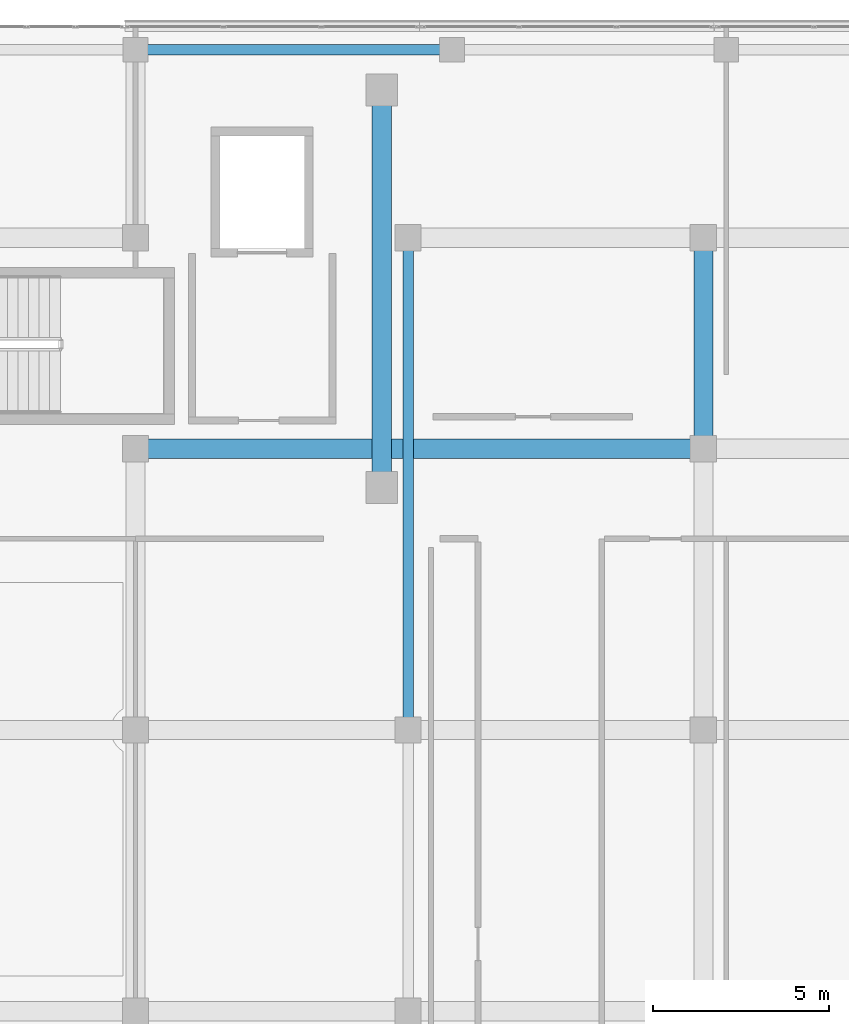
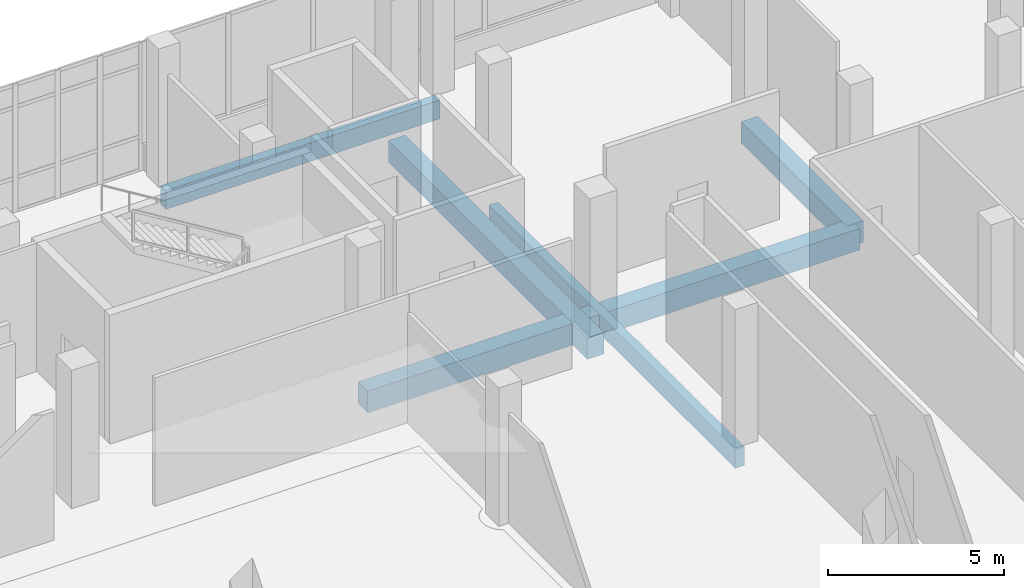
# One storey, part 107 of 155: 5 beams.
"""IFC4 building model written with IfcOpenShell, lengths in metres."""

import ifcopenshell
import ifcopenshell.guid

model = None  # the IFC model being written
_history = None  # IfcOwnerHistory: only IFC2X3 demands one
_inside = {}  # id of a spatial element -> (the spatial element, [elements in it])
_under = {}  # id of a project, library or spatial element -> (it, [spatial elements below it])
_declared = {}  # id of a project -> (the project, [libraries it declares])
_typed = {}  # id of a type object -> (the type object, [elements of that type])
_made_of = {}  # id of a material, layer set ... -> (it, [elements and type objects made of it])


def new_model(schema):
    """Start an empty IFC model of exactly this schema.

    Asked for "IFC4X3", IfcOpenShell would pick the latest addendum, in which some entities
    have other attributes; the version numbers below select the first issue.
    IFC2X3 requires an IfcOwnerHistory on every rooted entity: one is made here for all.
    """
    global model, _history
    if schema == "IFC4X3":
        model = ifcopenshell.file(schema_version=(4, 3, 0, 0))
    else:
        model = ifcopenshell.file(schema=schema)
    _inside.clear()
    _under.clear()
    _declared.clear()
    _typed.clear()
    _made_of.clear()
    _history = None
    if model.schema == "IFC2X3":
        org = make("IfcOrganization", Name="unknown")
        user = make(
            "IfcPersonAndOrganization",
            ThePerson=make("IfcPerson", FamilyName="unknown"),
            TheOrganization=org,
        )
        app = make(
            "IfcApplication",
            ApplicationDeveloper=org,
            Version="unknown",
            ApplicationFullName="unknown",
            ApplicationIdentifier="unknown",
        )
        _history = make(
            "IfcOwnerHistory",
            OwningUser=user,
            OwningApplication=app,
            ChangeAction="ADDED",
            CreationDate=0,
        )
    return model


def make(cls, **values):
    """One entity of the class cls with the attributes given. An attribute that is None is left unset."""
    return model.create_entity(
        cls, **{name: value for name, value in values.items() if value is not None}
    )


def rooted(cls, **values):
    """An entity with a GlobalId (a new one), such as an element, a storey or a relation."""
    return make(cls, GlobalId=ifcopenshell.guid.new(), OwnerHistory=_history, **values)


def si_unit(unit_type, name, prefix=None):
    """IfcSIUnit, for example si_unit("LENGTHUNIT", "METRE", prefix="MILLI")."""
    return make("IfcSIUnit", UnitType=unit_type, Prefix=prefix, Name=name)


def assignment(units):
    """IfcUnitAssignment: the units of a project."""
    return None if units is None else make("IfcUnitAssignment", Units=units)


def point(xyz):
    """IfcCartesianPoint."""
    return None if xyz is None else make("IfcCartesianPoint", Coordinates=xyz)


def direction(xyz):
    """IfcDirection."""
    return None if xyz is None else make("IfcDirection", DirectionRatios=xyz)


def frame(location, z_axis=None, x_axis=None):
    """IfcAxis2Placement3D, a coordinate frame: its origin and axes. An axis left out is left unset."""
    return make(
        "IfcAxis2Placement3D",
        Location=point(location),
        Axis=direction(z_axis),
        RefDirection=direction(x_axis),
    )


def frame_2d(location, x_axis=None):
    """IfcAxis2Placement2D, a coordinate frame in the plane: its origin and x axis."""
    return make(
        "IfcAxis2Placement2D", Location=point(location), RefDirection=direction(x_axis)
    )


def origin():
    """The frame at (0, 0, 0) with its axes left unset."""
    return frame((0.0, 0.0, 0.0))


def origin_2d():
    """The frame at (0, 0) in the plane with its x axis left unset."""
    return frame_2d((0.0, 0.0))


def place(relative_to, where):
    """IfcLocalPlacement: puts the frame where relative to a parent placement (None: the world)."""
    return make(
        "IfcLocalPlacement", PlacementRelTo=relative_to, RelativePlacement=where
    )


def context(
    kind, dimensions, precision=None, world=None, true_north=None, identifier=None
):
    """IfcGeometricRepresentationContext, for example the 3D "Model" context."""
    return make(
        "IfcGeometricRepresentationContext",
        ContextIdentifier=identifier,
        ContextType=kind,
        CoordinateSpaceDimension=dimensions,
        Precision=precision,
        WorldCoordinateSystem=world,
        TrueNorth=true_north,
    )


def subcontext(parent, identifier, kind, view, scale=None):
    """IfcGeometricRepresentationSubContext, for example "Body" below "Model"."""
    return make(
        "IfcGeometricRepresentationSubContext",
        ContextIdentifier=identifier,
        ContextType=kind,
        ParentContext=parent,
        TargetScale=scale,
        TargetView=view,
    )


def project(units=None, contexts=None):
    """IfcProject with its units and contexts."""
    return rooted(
        "IfcProject",
        Name="project",
        RepresentationContexts=contexts,
        UnitsInContext=assignment(units),
    )


def spatial(cls, under=None, at=None, **own):
    """A site, building, storey or space (cls), placed at a placement, below another one or the project."""
    s = rooted(cls, ObjectPlacement=at, **own)
    if under is not None:
        _under.setdefault(under.id(), (under, []))[1].append(s)
    return s


def profile(cls, at=None, kind="AREA", **sizes):
    """A parametric profile (cls). Its sizes go by their IFC names, for example OverallWidth=200.0."""
    return make(cls, ProfileType=kind, Position=at, **sizes)


def rectangle(**sizes):
    """IfcRectangleProfileDef."""
    return profile("IfcRectangleProfileDef", **sizes)


def extrude(swept, where, along, depth):
    """IfcExtrudedAreaSolid: the profile swept, set in the frame where, extruded along a direction by depth."""
    return make(
        "IfcExtrudedAreaSolid",
        SweptArea=swept,
        Position=where,
        ExtrudedDirection=direction(along),
        Depth=depth,
    )


def shape(context_of_items, identifier, shape_type, items):
    """IfcShapeRepresentation: the items that make up one representation, for example the "Body"."""
    return make(
        "IfcShapeRepresentation",
        ContextOfItems=context_of_items,
        RepresentationIdentifier=identifier,
        RepresentationType=shape_type,
        Items=items,
    )


def material(Name=None, Category=None):
    """IfcMaterial."""
    return make("IfcMaterial", Name=Name, Category=Category)


def material_profile(
    of_material, cross_section, Name=None, Category=None, Priority=None
):
    """IfcMaterialProfile: a cross section and its material."""
    return make(
        "IfcMaterialProfile",
        Name=Name,
        Material=of_material,
        Profile=cross_section,
        Priority=Priority,
        Category=Category,
    )


def profile_set(profiles, Name=None, composite=None):
    """IfcMaterialProfileSet."""
    return make(
        "IfcMaterialProfileSet",
        Name=Name,
        MaterialProfiles=profiles,
        CompositeProfile=composite,
    )


def made_of(thing, what):
    """Note that an element or type object is made of a material, layer set ...; save() writes the relation."""
    if what is not None:
        _made_of.setdefault(what.id(), (what, []))[1].append(thing)
    return thing


def type_object(cls, material=None, **own):
    """A type object (cls), such as IfcWallType, which elements share."""
    return made_of(rooted(cls, **own), material)


def element(
    cls,
    number,
    at=None,
    inside=None,
    cuts=None,
    type_object=None,
    material=None,
    context=None,
    identifier="Body",
    shape_type=None,
    held_by="IfcProductDefinitionShape",
    body=None,
    shapes=None,
    **own,
):
    """One element of the class cls, such as IfcWall. Its Tag is "e" and its number.

    at: its placement. inside: the storey or other place that contains it. cuts: it is an
    opening in that element (IfcRelVoidsElement). A single representation is given by context,
    identifier, shape_type and body (its items); several are given by shapes. held_by: the class
    of the entity that holds the representations. save() writes the other relations.
    """
    e = rooted(cls, Tag="e%d" % number, ObjectPlacement=at, **own)
    if body is not None:
        shapes = [shape(context, identifier, shape_type, body)]
    if shapes is not None:
        e.Representation = make(held_by, Representations=shapes)
    if inside is not None:
        _inside.setdefault(inside.id(), (inside, []))[1].append(e)
    if cuts is not None:
        rooted(
            "IfcRelVoidsElement", RelatingBuildingElement=cuts, RelatedOpeningElement=e
        )
    if type_object is not None:
        _typed.setdefault(type_object.id(), (type_object, []))[1].append(e)
    return made_of(e, material)


def aggregate(whole, parts):
    """IfcRelAggregates: a whole, such as a stair, and the parts it consists of."""
    return rooted("IfcRelAggregates", RelatingObject=whole, RelatedObjects=parts)


def save(model, path):
    """Write the relations noted so far, then the file.

    IfcRelAggregates (storeys below a building ...), IfcRelContainedInSpatialStructure (elements
    in a storey), IfcRelDefinesByType, IfcRelAssociatesMaterial and IfcRelDeclares: one each for
    every whole, place, type object, material and project.
    """
    for whole, parts in _under.values():
        aggregate(whole, parts)
    for where, things in _inside.values():
        rooted(
            "IfcRelContainedInSpatialStructure",
            RelatedElements=things,
            RelatingStructure=where,
        )
    for kind, things in _typed.values():
        rooted("IfcRelDefinesByType", RelatedObjects=things, RelatingType=kind)
    for what, things in _made_of.values():
        rooted("IfcRelAssociatesMaterial", RelatedObjects=things, RelatingMaterial=what)
    for by, libraries in _declared.values():
        rooted("IfcRelDeclares", RelatingContext=by, RelatedDefinitions=libraries)
    model.write(path)


model = new_model("IFC4")

# Units and contexts
model_context = context("Model", 3, precision=1e-05, world=origin(), true_north=direction((0.0, 1.0)))
body_context = subcontext(model_context, "Body", "Model", "MODEL_VIEW")
ifc_project = project(units=[si_unit("LENGTHUNIT", "METRE"), si_unit("AREAUNIT", "SQUARE_METRE"), si_unit("VOLUMEUNIT", "CUBIC_METRE"), si_unit("PLANEANGLEUNIT", "RADIAN"), si_unit("MASSUNIT", "GRAM", prefix="KILO")], contexts=[model_context])

# Site, building, storey
site_placement = place(None, origin())
site = spatial("IfcSite", under=ifc_project, at=site_placement, CompositionType="ELEMENT")
building_placement = place(site_placement, origin())
building = spatial("IfcBuilding", under=site, at=building_placement, Name="Selatvlak General Hospital", CompositionType="ELEMENT")
storey_placement = place(building_placement, frame((0.0, 0.0, 10.199951171875)))
storey = spatial("IfcBuildingStorey", under=building, at=storey_placement, Name="L02", CompositionType="ELEMENT", Elevation=10.199951171875)

# Beams
ifc_material = material(Name="Concrete C40/50", Category="concrete")
ifc_material_profile_1 = material_profile(ifc_material, rectangle(XDim=0.550048828125, YDim=0.75, at=origin_2d()), Name="RC-BM 550x750")
ifc_profile_set_1 = profile_set([ifc_material_profile_1], Name="Concrete C40/50")
beam_type_1 = type_object("IfcBeamType", Name="BM-G02", PredefinedType="BEAM", material=ifc_profile_set_1)
beam_1_placement = place(storey_placement, frame((140.39990234375, 108.0, -0.72998046875), z_axis=(1.0, 0.0, 0.0), x_axis=(0.0, 1.0, 0.0)))
element("IfcBeam", 1, at=beam_1_placement, inside=storey, type_object=beam_type_1, Name="Beam BMR-L02-0890", PredefinedType="BEAM", context=body_context, shape_type="SweptSolid", body=[
    extrude(rectangle(XDim=0.550048828125, YDim=0.75, at=origin_2d()), origin(), (0.0, 0.0, 1.0), 16.150146484375),
])
beam_2_placement = place(storey_placement, frame((147.39990234375, 106.89990234375, -0.72998046875), z_axis=(0.0, 1.0, 0.0), x_axis=(-1.0, 0.0, 0.0)))
element("IfcBeam", 2, at=beam_2_placement, inside=storey, type_object=beam_type_1, Name="Beam BMR-L02-1036", PredefinedType="BEAM", context=body_context, shape_type="SweptSolid", body=[
    extrude(rectangle(XDim=0.550048828125, YDim=0.75, at=origin_2d()), origin(), (0.0, 0.0, 1.0), 11.300048828125),
])
beam_3_placement = place(storey_placement, frame((156.550048828125, 108.0, -0.72998046875), z_axis=(0.0, 1.0, 0.0), x_axis=(-1.0, 0.0, 0.0)))
element("IfcBeam", 3, at=beam_3_placement, inside=storey, type_object=beam_type_1, Name="Beam BMR-L02-1052", PredefinedType="BEAM", context=body_context, shape_type="SweptSolid", body=[
    extrude(rectangle(XDim=0.550048828125, YDim=0.75, at=origin_2d()), origin(), (0.0, 0.0, 1.0), 6.0),
])
ifc_material_profile_2 = material_profile(ifc_material, rectangle(XDim=0.300048828125, YDim=0.64990234375, at=origin_2d()), Name="RC-SP 300x650")
ifc_profile_set_2 = profile_set([ifc_material_profile_2], Name="Concrete C40/50")
beam_type_2 = type_object("IfcBeamType", Name="BM-SP1", PredefinedType="SPANDREL", material=ifc_profile_set_2)
beam_4_placement = place(storey_placement, frame((140.39990234375, 119.35009765625, -0.679931640625), z_axis=(1.0, 0.0, 0.0), x_axis=(0.0, 1.0, 0.0)))
element("IfcBeam", 4, at=beam_4_placement, inside=storey, type_object=beam_type_2, Name="Beam BMR-L02-0919", PredefinedType="SPANDREL", context=body_context, shape_type="SweptSolid", body=[
    extrude(rectangle(XDim=0.300048828125, YDim=0.64990234375, at=origin_2d()), origin(), (0.0, 0.0, 1.0), 9.0),
])
beam_5_placement = place(storey_placement, frame((148.14990234375, 100.0, -0.679931640625), z_axis=(0.0, 1.0, 0.0), x_axis=(-1.0, 0.0, 0.0)))
element("IfcBeam", 5, at=beam_5_placement, inside=storey, type_object=beam_type_2, Name="Beam BMR-L02-1043", PredefinedType="SPANDREL", context=body_context, shape_type="SweptSolid", body=[
    extrude(rectangle(XDim=0.300048828125, YDim=0.64990234375, at=origin_2d()), origin(), (0.0, 0.0, 1.0), 14.0),
])

save(model, "model.ifc")
